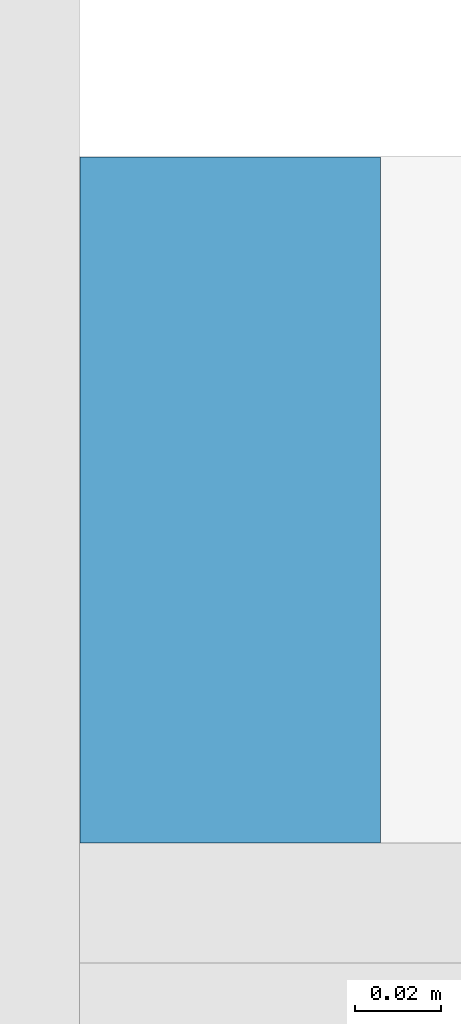
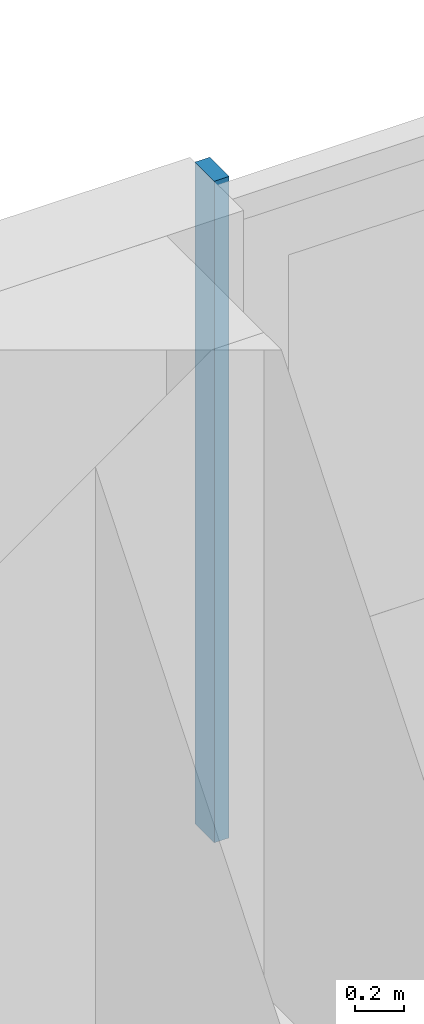
# One storey, part 9 of 27: 1 member, 1 element without a shape of its own.
"""IFC4 building model written with IfcOpenShell, lengths in metres."""

from ifc_helpers import new_model, si_unit, direction, frame, origin, origin_2d, place, context, subcontext, project, spatial, rectangle, extrude, material, material_profile, profile_set, type_object, element, aggregate, save


model = new_model("IFC4")

# Units and contexts
model_context = context("Model", 3, precision=1e-05, world=origin(), true_north=direction((0.0, 1.0)))
body_context = subcontext(model_context, "Body", "Model", "MODEL_VIEW")
ifc_project = project(units=[si_unit("LENGTHUNIT", "METRE"), si_unit("AREAUNIT", "SQUARE_METRE"), si_unit("VOLUMEUNIT", "CUBIC_METRE"), si_unit("PLANEANGLEUNIT", "RADIAN"), si_unit("MASSUNIT", "GRAM", prefix="KILO")], contexts=[model_context])

# Site, building, storey
site_placement = place(None, origin())
site = spatial("IfcSite", under=ifc_project, at=site_placement, CompositionType="ELEMENT")
building_placement = place(site_placement, origin())
building = spatial("IfcBuilding", under=site, at=building_placement, Name="Saffron Gate Tower", CompositionType="ELEMENT")
storey_placement = place(building_placement, frame((0.0, 0.0, 183.449951171875)))
storey = spatial("IfcBuildingStorey", under=building, at=storey_placement, Name="L45", CompositionType="ELEMENT", Elevation=183.449951171875)

# Curtain wall, member
ifc_material = material(Name="Aluminium, bronze anodised", Category="aluminium")
curtain_wall_type = type_object("IfcCurtainWallType", Name="CWS3 curtain wall rear facade", PredefinedType="NOTDEFINED", material=ifc_material)
curtain_wall_placement = place(storey_placement, origin())
curtain_wall = element("IfcCurtainWall", 1, at=curtain_wall_placement, inside=storey, type_object=curtain_wall_type, Name="CWS3 run 7", PredefinedType="NOTDEFINED")
ifc_material_profile = material_profile(ifc_material, rectangle(XDim=0.159912109375, YDim=0.070068359375, at=origin_2d()))
ifc_profile_set = profile_set([ifc_material_profile], Name="Aluminium, bronze anodised")
member_type = type_object("IfcMemberType", Name="CWS3 mullion 70x160", PredefinedType="MULLION", material=ifc_profile_set)
member_placement = place(storey_placement, frame((108.60009765625, 75.52001953125, 0.0), z_axis=(0.0, 0.0, 1.0), x_axis=(0.0, -1.0, 0.0)))
member = element("IfcMember", 2, at=member_placement, type_object=member_type, Name="CWS3 mullion 3", PredefinedType="MULLION", context=body_context, shape_type="SweptSolid", body=[
    extrude(rectangle(XDim=0.159912109375, YDim=0.070068359375, at=origin_2d()), origin(), (0.0, 0.0, 1.0), 3.320068359375),
])
aggregate(curtain_wall, [member])

save(model, "model.ifc")
